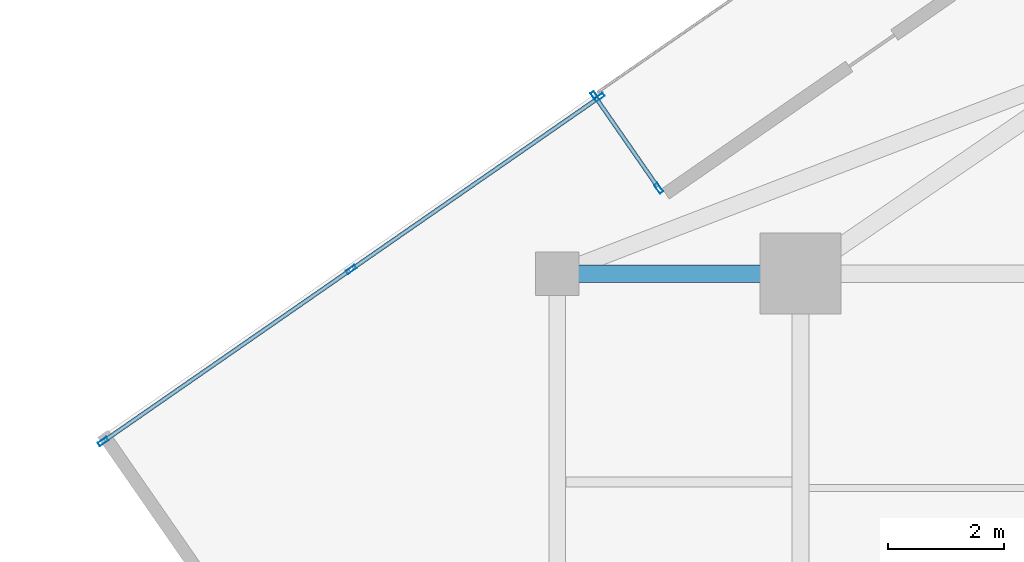
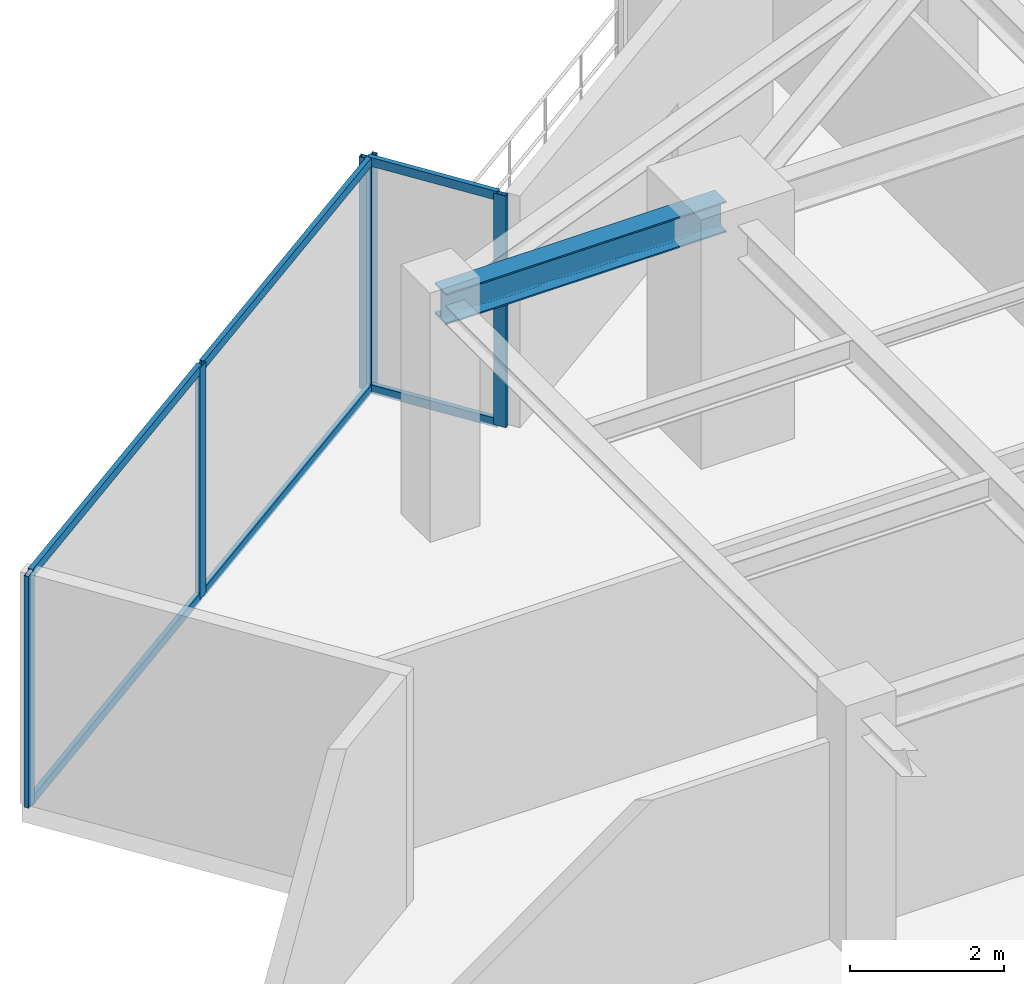
# One storey, part 12 of 21: 11 members, 1 beam, 2 elements without a shape of their own.
"""IFC4 building model written with IfcOpenShell, lengths in metres."""

from ifc_helpers import new_model, si_unit, direction, frame, origin, origin_2d, place, context, subcontext, project, spatial, hollow_rectangle, i_section, extrude, source, transform, mapped, material, material_profile, profile_set, type_object, type_shapes, element, aggregate, save


model = new_model("IFC4")

# Units and contexts
model_context = context("Model", 3, precision=1e-05, world=origin(), true_north=direction((0.0, 1.0)))
body_context = subcontext(model_context, "Body", "Model", "MODEL_VIEW")
ifc_project = project(units=[si_unit("LENGTHUNIT", "METRE"), si_unit("AREAUNIT", "SQUARE_METRE"), si_unit("VOLUMEUNIT", "CUBIC_METRE"), si_unit("PLANEANGLEUNIT", "RADIAN"), si_unit("MASSUNIT", "GRAM", prefix="KILO")], contexts=[model_context])

# Site, building, storey
site_placement = place(None, origin())
site = spatial("IfcSite", under=ifc_project, at=site_placement, CompositionType="ELEMENT")
building_placement = place(site_placement, origin())
building = spatial("IfcBuilding", under=site, at=building_placement, Name="Krantzveldt Concourse Tower", CompositionType="ELEMENT")
storey_placement = place(building_placement, frame((0.0, 0.0, 271.35009765625)))
storey = spatial("IfcBuildingStorey", under=building, at=storey_placement, Name="L66", CompositionType="ELEMENT", Elevation=271.35009765625)

# Beam
ifc_material_1 = material(Name="Steel S355JR", Category="steel")
ifc_material_profile_1 = material_profile(ifc_material_1, i_section(OverallWidth=0.300048828125, OverallDepth=0.489990234375, WebThickness=0.011962890625, FlangeThickness=0.02294921875, FilletRadius=0.027099609375, at=origin_2d()), Name="Steel S355JR", Category="steel")
ifc_profile_set_1 = profile_set([ifc_material_profile_1], Name="Steel S355JR - HEA 500")
beam_type = type_object("IfcBeamType", Name="BM-B-HEA500", PredefinedType="BEAM", material=ifc_profile_set_1)
shared_shape_1 = source(origin(), body_context, "Body", "SweptSolid", [
    extrude(i_section(OverallWidth=0.300048828125, OverallDepth=0.489990234375, WebThickness=0.011962890625, FlangeThickness=0.02294921875, FilletRadius=0.027099609375, at=origin_2d()), origin(), (0.0, 0.0, 1.0), 4.199951171875),
])
type_shapes(beam_type, [shared_shape_1])
beam_placement = place(storey_placement, frame((21.0, 37.5, 3.4248046875), z_axis=(1.0, 0.0, 0.0), x_axis=(0.0, 1.0, 0.0)))
element("IfcBeam", 1, at=beam_placement, inside=storey, type_object=beam_type, Name="L66 Tower Girder BR-RL3", PredefinedType="BEAM", context=body_context, shape_type="MappedRepresentation", body=[
    mapped(shared_shape_1, transform((0.0, 0.0, 0.0), x_axis=(1.0, 0.0, 0.0), y_axis=(0.0, 1.0, 0.0), z_axis=(0.0, 0.0, 1.0), scale=1.0)),
])

# Curtain wall, members
ifc_material_2 = material(Name="Anodised aluminium 6063-T6", Category="aluminium")
curtain_wall_type_1 = type_object("IfcCurtainWallType", Name="CW6", PredefinedType="USERDEFINED", material=ifc_material_2)
curtain_wall_1_placement = place(storey_placement, origin())
curtain_wall_1 = element("IfcCurtainWall", 2, at=curtain_wall_1_placement, inside=storey, type_object=curtain_wall_type_1, Name="CW-L66-TR04", ObjectType="UNITISED CURTAIN WALL", PredefinedType="USERDEFINED")
ifc_material_profile_2 = material_profile(ifc_material_2, hollow_rectangle(XDim=0.070068359375, YDim=0.179931640625, WallThickness=0.0048828125, at=origin_2d()), Name="Anodised aluminium 6063-T6", Category="aluminium")
ifc_profile_set_2 = profile_set([ifc_material_profile_2], Name="Anodised aluminium 6063-T6 - ALU-MULL 180x70x5")
member_type_1 = type_object("IfcMemberType", Name="CW-MUL-180", PredefinedType="MULLION", material=ifc_profile_set_2)
shared_shape_2 = source(origin(), body_context, "Body", "SweptSolid", [
    extrude(hollow_rectangle(XDim=0.070068359375, YDim=0.179931640625, WallThickness=0.0048828125, at=origin_2d()), origin(), (0.0, 0.0, 1.0), 3.669921875),
])
type_shapes(member_type_1, [shared_shape_2])
member_1_placement = place(storey_placement, frame((22.751953125, 38.972412109375, 0.0), z_axis=(0.0, 0.0, 1.0), x_axis=(-0.821647133805, -0.569996480262, 0.0)))
member_1 = element("IfcMember", 3, at=member_1_placement, type_object=member_type_1, Name="CW-TERR mullion 1", PredefinedType="MULLION", context=body_context, shape_type="MappedRepresentation", body=[
    mapped(shared_shape_2, transform((0.0, 0.0, 0.0), x_axis=(1.0, 0.0, 0.0), y_axis=(0.0, 1.0, 0.0), z_axis=(0.0, 0.0, 1.0), scale=1.0)),
])
member_2_placement = place(storey_placement, frame((21.65185546875, 40.558349609375, 0.0), z_axis=(0.0, 0.0, 1.0), x_axis=(-0.821647133805, -0.569996480262, 0.0)))
member_2 = element("IfcMember", 4, at=member_2_placement, type_object=member_type_1, Name="CW-TERR mullion 2", PredefinedType="MULLION", context=body_context, shape_type="MappedRepresentation", body=[
    mapped(shared_shape_2, transform((0.0, 0.0, 0.0), x_axis=(1.0, 0.0, 0.0), y_axis=(0.0, 1.0, 0.0), z_axis=(0.0, 0.0, 1.0), scale=1.0)),
])

curtain_wall_type_2 = type_object("IfcCurtainWallType", Name="CW4", PredefinedType="USERDEFINED", material=ifc_material_2)
curtain_wall_2_placement = place(storey_placement, origin())
curtain_wall_2 = element("IfcCurtainWall", 5, at=curtain_wall_2_placement, inside=storey, type_object=curtain_wall_type_2, Name="CW-L66-F05", ObjectType="UNITISED CURTAIN WALL", PredefinedType="USERDEFINED")
member_3_placement = place(storey_placement, frame((21.728271484375, 40.54443359375, 0.0), z_axis=(0.0, 0.0, 1.0), x_axis=(0.569996057376, -0.82164742717, 0.0)))
member_3 = element("IfcMember", 6, at=member_3_placement, type_object=member_type_1, Name="CW-Z56 mullion 1", PredefinedType="MULLION", context=body_context, shape_type="MappedRepresentation", body=[
    mapped(shared_shape_2, transform((0.0, 0.0, 0.0), x_axis=(1.0, 0.0, 0.0), y_axis=(0.0, 1.0, 0.0), z_axis=(0.0, 0.0, 1.0), scale=1.0)),
])
member_4_placement = place(storey_placement, frame((17.443359375, 37.57177734375, 0.0), z_axis=(0.0, 0.0, 1.0), x_axis=(0.569996057376, -0.82164742717, 0.0)))
member_4 = element("IfcMember", 7, at=member_4_placement, type_object=member_type_1, Name="CW-Z56 mullion 2", PredefinedType="MULLION", context=body_context, shape_type="MappedRepresentation", body=[
    mapped(shared_shape_2, transform((0.0, 0.0, 0.0), x_axis=(1.0, 0.0, 0.0), y_axis=(0.0, 1.0, 0.0), z_axis=(0.0, 0.0, 1.0), scale=1.0)),
])
member_5_placement = place(storey_placement, frame((13.158447265625, 34.599365234375, 0.0), z_axis=(0.0, 0.0, 1.0), x_axis=(0.569996057376, -0.82164742717, 0.0)))
member_5 = element("IfcMember", 8, at=member_5_placement, type_object=member_type_1, Name="CW-Z56 mullion 3", PredefinedType="MULLION", context=body_context, shape_type="MappedRepresentation", body=[
    mapped(shared_shape_2, transform((0.0, 0.0, 0.0), x_axis=(1.0, 0.0, 0.0), y_axis=(0.0, 1.0, 0.0), z_axis=(0.0, 0.0, 1.0), scale=1.0)),
])

# Member
ifc_material_profile_3 = material_profile(ifc_material_2, hollow_rectangle(XDim=0.070068359375, YDim=0.139892578125, WallThickness=0.0048828125, at=origin_2d()), Name="Anodised aluminium 6063-T6", Category="aluminium")
ifc_profile_set_3 = profile_set([ifc_material_profile_3], Name="Anodised aluminium 6063-T6 - ALU-TRAN 140x70x5")
member_type_2 = type_object("IfcMemberType", Name="CW-TRN-150", PredefinedType="USERDEFINED", material=ifc_profile_set_3)
shared_shape_3 = source(origin(), body_context, "Body", "SweptSolid", [
    extrude(hollow_rectangle(XDim=0.070068359375, YDim=0.139892578125, WallThickness=0.0048828125, at=origin_2d()), origin(), (0.0, 0.0, 1.0), 1.85986328125),
])
member_6_placement = place(storey_placement, frame((22.73193359375, 39.001220703125, 0.034912109375), z_axis=(-0.569933266544, 0.821690983087, 0.0), x_axis=(-0.821690983087, -0.569933266544, 0.0)))
member_6 = element("IfcMember", 9, at=member_6_placement, type_object=member_type_2, Name="CW-TERR transom 1.1", ObjectType="TRANSOM", PredefinedType="USERDEFINED", context=body_context, shape_type="MappedRepresentation", body=[
    mapped(shared_shape_3, transform((0.0, 0.0, 0.0), x_axis=(1.0, 0.0, 0.0), y_axis=(0.0, 1.0, 0.0), z_axis=(0.0, 0.0, 1.0), scale=1.0)),
])

member_7_placement = place(storey_placement, frame((22.73193359375, 39.001220703125, 3.635009765625), z_axis=(-0.569933266544, 0.821690983087, 0.0), x_axis=(-0.821690983087, -0.569933266544, 0.0)))
member_7 = element("IfcMember", 10, at=member_7_placement, type_object=member_type_2, Name="CW-TERR transom 1.2", ObjectType="TRANSOM", PredefinedType="USERDEFINED", context=body_context, shape_type="MappedRepresentation", body=[
    mapped(shared_shape_3, transform((0.0, 0.0, 0.0), x_axis=(1.0, 0.0, 0.0), y_axis=(0.0, 1.0, 0.0), z_axis=(0.0, 0.0, 1.0), scale=1.0)),
])

aggregate(curtain_wall_1, [member_1, member_2, member_6, member_7])

shared_shape_4 = source(origin(), body_context, "Body", "SweptSolid", [
    extrude(hollow_rectangle(XDim=0.070068359375, YDim=0.139892578125, WallThickness=0.0048828125, at=origin_2d()), origin(), (0.0, 0.0, 1.0), 5.14501953125),
])
type_shapes(member_type_2, [shared_shape_3, shared_shape_4])
member_8_placement = place(storey_placement, frame((21.69970703125, 40.5244140625, 0.034912109375), z_axis=(-0.821658863319, -0.569979571852, 0.0), x_axis=(0.569979571852, -0.821658863319, 0.0)))
member_8 = element("IfcMember", 11, at=member_8_placement, type_object=member_type_2, Name="CW-Z56 transom 1.1", ObjectType="TRANSOM", PredefinedType="USERDEFINED", context=body_context, shape_type="MappedRepresentation", body=[
    mapped(shared_shape_4, transform((0.0, 0.0, 0.0), x_axis=(1.0, 0.0, 0.0), y_axis=(0.0, 1.0, 0.0), z_axis=(0.0, 0.0, 1.0), scale=1.0)),
])

member_9_placement = place(storey_placement, frame((21.69970703125, 40.5244140625, 3.635009765625), z_axis=(-0.821658863319, -0.569979571852, 0.0), x_axis=(0.569979571852, -0.821658863319, 0.0)))
member_9 = element("IfcMember", 12, at=member_9_placement, type_object=member_type_2, Name="CW-Z56 transom 1.2", ObjectType="TRANSOM", PredefinedType="USERDEFINED", context=body_context, shape_type="MappedRepresentation", body=[
    mapped(shared_shape_4, transform((0.0, 0.0, 0.0), x_axis=(1.0, 0.0, 0.0), y_axis=(0.0, 1.0, 0.0), z_axis=(0.0, 0.0, 1.0), scale=1.0)),
])

member_10_placement = place(storey_placement, frame((17.414794921875, 37.552001953125, 0.034912109375), z_axis=(-0.821658863319, -0.569979571852, 0.0), x_axis=(0.569979571852, -0.821658863319, 0.0)))
member_10 = element("IfcMember", 13, at=member_10_placement, type_object=member_type_2, Name="CW-Z56 transom 2.1", ObjectType="TRANSOM", PredefinedType="USERDEFINED", context=body_context, shape_type="MappedRepresentation", body=[
    mapped(shared_shape_4, transform((0.0, 0.0, 0.0), x_axis=(1.0, 0.0, 0.0), y_axis=(0.0, 1.0, 0.0), z_axis=(0.0, 0.0, 1.0), scale=1.0)),
])

member_11_placement = place(storey_placement, frame((17.414794921875, 37.552001953125, 3.635009765625), z_axis=(-0.821658863319, -0.569979571852, 0.0), x_axis=(0.569979571852, -0.821658863319, 0.0)))
member_11 = element("IfcMember", 14, at=member_11_placement, type_object=member_type_2, Name="CW-Z56 transom 2.2", ObjectType="TRANSOM", PredefinedType="USERDEFINED", context=body_context, shape_type="MappedRepresentation", body=[
    mapped(shared_shape_4, transform((0.0, 0.0, 0.0), x_axis=(1.0, 0.0, 0.0), y_axis=(0.0, 1.0, 0.0), z_axis=(0.0, 0.0, 1.0), scale=1.0)),
])

aggregate(curtain_wall_2, [member_3, member_4, member_5, member_8, member_9, member_10, member_11])

save(model, "model.ifc")
